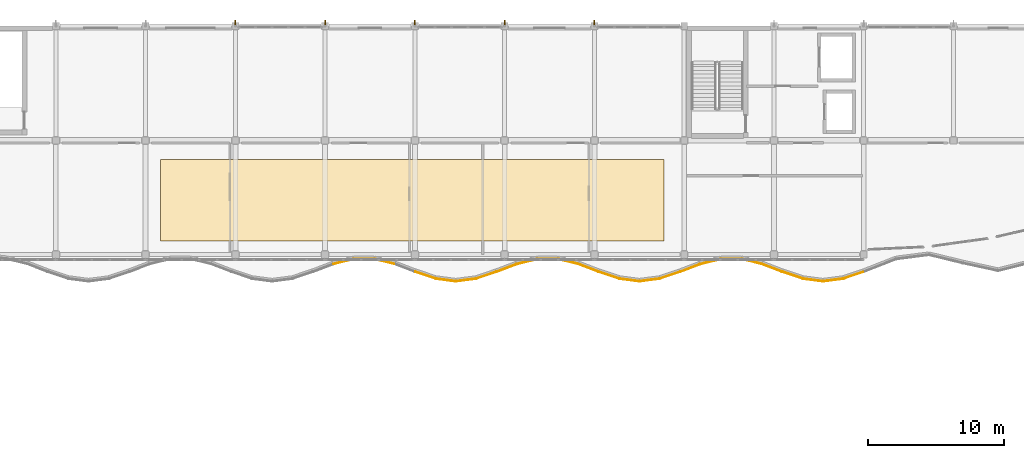
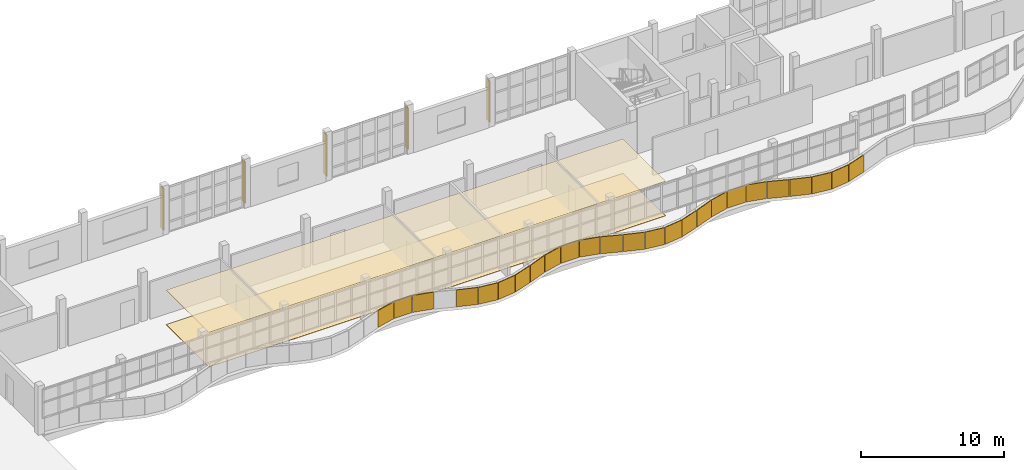
# One storey, part 73 of 78: 27 coverings, 5 shading devices.
"""IFC4 building model written with IfcOpenShell, lengths in metres."""

from ifc_helpers import new_model, si_unit, direction, frame, origin, origin_2d, place, context, subcontext, project, spatial, polyline, rectangle, outline, extrude, material, layer, layer_set, type_object, element, save


model = new_model("IFC4")

# Units and contexts
model_context = context("Model", 3, precision=1e-05, world=origin(), true_north=direction((0.0, 1.0)))
body_context = subcontext(model_context, "Body", "Model", "MODEL_VIEW")
ifc_project = project(units=[si_unit("LENGTHUNIT", "METRE"), si_unit("AREAUNIT", "SQUARE_METRE"), si_unit("VOLUMEUNIT", "CUBIC_METRE"), si_unit("PLANEANGLEUNIT", "RADIAN"), si_unit("MASSUNIT", "GRAM", prefix="KILO")], contexts=[model_context])

# Site, building, storey
site_placement = place(None, origin())
site = spatial("IfcSite", under=ifc_project, at=site_placement, CompositionType="ELEMENT")
building_placement = place(site_placement, origin())
building = spatial("IfcBuilding", under=site, at=building_placement, Name="Qaldarim Faculty of Natural and Applied Sciences", CompositionType="ELEMENT")
storey_placement = place(building_placement, frame((0.0, 0.0, 18.60009765625)))
storey = spatial("IfcBuildingStorey", under=building, at=storey_placement, Name="L04", CompositionType="ELEMENT", Elevation=18.60009765625)

# Coverings
ifc_material_1 = material(Name="Acoustic mineral fibre")
ifc_layer_1 = layer(ifc_material_1, 0.02001953125)
ifc_layer_set_1 = layer_set([ifc_layer_1], Name="Acoustic mineral fibre")
covering_type_1 = type_object("IfcCoveringType", Name="AcousticMineralCeiling-20", PredefinedType="CEILING", material=ifc_layer_set_1)
covering_1_placement = place(storey_placement, frame((0.0, 0.0, 2.949951171875)))
element("IfcCovering", 1, at=covering_1_placement, inside=storey, type_object=covering_type_1, Name="Acoustic mineral-fibre laboratory ceiling L04", PredefinedType="CEILING", context=body_context, shape_type="SweptSolid", body=[
    extrude(outline(polyline([(60.5, 101.800048828125), (97.5, 101.800048828125), (97.5, 107.800048828125), (60.5, 107.800048828125), (60.5, 101.800048828125)])), origin(), (0.0, 0.0, 1.0), 0.02001953125),
])
ifc_material_2 = material(Name="Chemical-resistant epoxy finish")
ifc_layer_2 = layer(ifc_material_2, 0.014892578125)
ifc_layer_set_2 = layer_set([ifc_layer_2], Name="Chemical-resistant epoxy finish")
covering_type_2 = type_object("IfcCoveringType", Name="LabEpoxyFlooring-15", PredefinedType="FLOORING", material=ifc_layer_set_2)
covering_2_placement = place(storey_placement, origin())
element("IfcCovering", 2, at=covering_2_placement, inside=storey, type_object=covering_type_2, Name="Chemical-resistant epoxy laboratory flooring L04", PredefinedType="FLOORING", context=body_context, shape_type="SweptSolid", body=[
    extrude(outline(polyline([(60.5, 101.800048828125), (97.5, 101.800048828125), (97.5, 107.800048828125), (60.5, 107.800048828125), (60.5, 101.800048828125)])), origin(), (0.0, 0.0, 1.0), 0.014892578125),
])
ifc_material_3 = material(Name="White architectural precast concrete C40/50", Category="concrete")
ifc_layer_3 = layer(ifc_material_3, 0.06005859375)
ifc_layer_set_3 = layer_set([ifc_layer_3], Name="White architectural precast concrete C40/50")
covering_type_3 = type_object("IfcCoveringType", Name="LimestoneSpandrelCladding-60", PredefinedType="CLADDING", material=ifc_layer_set_3)
covering_3_placement = place(storey_placement, frame((73.93994140625, 100.284912109375, 0.0), z_axis=(0.0, 0.0, 1.0), x_axis=(0.970143530747, 0.242531502591, 0.0)))
element("IfcCovering", 3, at=covering_3_placement, inside=storey, type_object=covering_type_3, Name="White limestone wave band fascia L04 chord 19", PredefinedType="CLADDING", context=body_context, shape_type="SweptSolid", body=[
    extrude(rectangle(XDim=1.5048828125, YDim=0.06005859375, at=origin_2d()), origin(), (0.0, 0.0, 1.0), 1.449951171875),
])
covering_4_placement = place(storey_placement, frame((75.449951171875, 100.47998046875, 0.0), z_axis=(0.0, 0.0, 1.0), x_axis=(0.999994443631, 0.003333572697, 0.0)))
element("IfcCovering", 4, at=covering_4_placement, inside=storey, type_object=covering_type_3, Name="White limestone wave band fascia L04 chord 20", PredefinedType="CLADDING", context=body_context, shape_type="SweptSolid", body=[
    extrude(rectangle(XDim=1.4599609375, YDim=0.06005859375, at=origin_2d()), origin(), (0.0, 0.0, 1.0), 1.449951171875),
])
covering_5_placement = place(storey_placement, frame((76.9599609375, 100.294921875, 0.0), z_axis=(0.0, 0.0, 1.0), x_axis=(0.970900677218, -0.239482514971, 0.0)))
element("IfcCovering", 5, at=covering_5_placement, inside=storey, type_object=covering_type_3, Name="White limestone wave band fascia L04 chord 21", PredefinedType="CLADDING", context=body_context, shape_type="SweptSolid", body=[
    extrude(rectangle(XDim=1.5048828125, YDim=0.06005859375, at=origin_2d()), origin(), (0.0, 0.0, 1.0), 1.449951171875),
])
covering_6_placement = place(storey_placement, frame((79.9599609375, 99.284912109375, 0.0), z_axis=(0.0, 0.0, 1.0), x_axis=(0.947729434705, -0.319075098672, 0.0)))
element("IfcCovering", 6, at=covering_6_placement, inside=storey, type_object=covering_type_3, Name="White limestone wave band fascia L04 chord 23", PredefinedType="CLADDING", context=body_context, shape_type="SweptSolid", body=[
    extrude(rectangle(XDim=1.544921875, YDim=0.06005859375, at=origin_2d()), origin(), (0.0, 0.0, 1.0), 1.449951171875),
])
for number, where, z_axis, x_axis, name in (
    (7, (81.455078125, 98.929931640625, 0.0), (0.0, 0.0, 1.0), (0.991227078025, -0.13216988988, 0.0), "White limestone wave band fascia L04 chord 24"),
    (8, (82.945068359375, 98.929931640625, 0.0), (0.0, 0.0, 1.0), (0.991655419632, 0.128916751104, 0.0), "White limestone wave band fascia L04 chord 25"),
):
    element("IfcCovering", number, at=place(storey_placement, frame(where, z_axis=z_axis, x_axis=x_axis)), inside=storey, type_object=covering_type_3, Name=name, PredefinedType="CLADDING", context=body_context, shape_type="SweptSolid", body=[
        extrude(rectangle(XDim=1.47509765625, YDim=0.06005859375, at=origin_2d()), origin(), (0.0, 0.0, 1.0), 1.449951171875),
    ])
covering_7_placement = place(storey_placement, frame((84.43994140625, 99.280029296875, 0.0), z_axis=(0.0, 0.0, 1.0), x_axis=(0.947729434705, 0.319075098672, 0.0)))
element("IfcCovering", 9, at=covering_7_placement, inside=storey, type_object=covering_type_3, Name="White limestone wave band fascia L04 chord 26", PredefinedType="CLADDING", context=body_context, shape_type="SweptSolid", body=[
    extrude(rectangle(XDim=1.544921875, YDim=0.06005859375, at=origin_2d()), origin(), (0.0, 0.0, 1.0), 1.449951171875),
])
covering_8_placement = place(storey_placement, frame((85.93994140625, 99.81005859375, 0.0), z_axis=(0.0, 0.0, 1.0), x_axis=(0.93478228492, 0.35522117026, 0.0)))
element("IfcCovering", 10, at=covering_8_placement, inside=storey, type_object=covering_type_3, Name="White limestone wave band fascia L04 chord 27", PredefinedType="CLADDING", context=body_context, shape_type="SweptSolid", body=[
    extrude(rectangle(XDim=1.56494140625, YDim=0.06005859375, at=origin_2d()), origin(), (0.0, 0.0, 1.0), 1.449951171875),
])
covering_9_placement = place(storey_placement, frame((87.43994140625, 100.284912109375, 0.0), z_axis=(0.0, 0.0, 1.0), x_axis=(0.970143530747, 0.242531502591, 0.0)))
element("IfcCovering", 11, at=covering_9_placement, inside=storey, type_object=covering_type_3, Name="White limestone wave band fascia L04 chord 28", PredefinedType="CLADDING", context=body_context, shape_type="SweptSolid", body=[
    extrude(rectangle(XDim=1.5048828125, YDim=0.06005859375, at=origin_2d()), origin(), (0.0, 0.0, 1.0), 1.449951171875),
])
covering_10_placement = place(storey_placement, frame((88.949951171875, 100.47998046875, 0.0), z_axis=(0.0, 0.0, 1.0), x_axis=(0.999994443631, 0.003333572697, 0.0)))
element("IfcCovering", 12, at=covering_10_placement, inside=storey, type_object=covering_type_3, Name="White limestone wave band fascia L04 chord 29", PredefinedType="CLADDING", context=body_context, shape_type="SweptSolid", body=[
    extrude(rectangle(XDim=1.4599609375, YDim=0.06005859375, at=origin_2d()), origin(), (0.0, 0.0, 1.0), 1.449951171875),
])
covering_11_placement = place(storey_placement, frame((90.4599609375, 100.294921875, 0.0), z_axis=(0.0, 0.0, 1.0), x_axis=(0.970900677218, -0.239482514971, 0.0)))
element("IfcCovering", 13, at=covering_11_placement, inside=storey, type_object=covering_type_3, Name="White limestone wave band fascia L04 chord 30", PredefinedType="CLADDING", context=body_context, shape_type="SweptSolid", body=[
    extrude(rectangle(XDim=1.5048828125, YDim=0.06005859375, at=origin_2d()), origin(), (0.0, 0.0, 1.0), 1.449951171875),
])
covering_12_placement = place(storey_placement, frame((91.9599609375, 99.820068359375, 0.0), z_axis=(0.0, 0.0, 1.0), x_axis=(0.93374919975, -0.357927970359, 0.0)))
element("IfcCovering", 14, at=covering_12_placement, inside=storey, type_object=covering_type_3, Name="White limestone wave band fascia L04 chord 31", PredefinedType="CLADDING", context=body_context, shape_type="SweptSolid", body=[
    extrude(rectangle(XDim=1.56494140625, YDim=0.06005859375, at=origin_2d()), origin(), (0.0, 0.0, 1.0), 1.449951171875),
])
covering_13_placement = place(storey_placement, frame((93.4599609375, 99.284912109375, 0.0), z_axis=(0.0, 0.0, 1.0), x_axis=(0.947729434705, -0.319075098672, 0.0)))
element("IfcCovering", 15, at=covering_13_placement, inside=storey, type_object=covering_type_3, Name="White limestone wave band fascia L04 chord 32", PredefinedType="CLADDING", context=body_context, shape_type="SweptSolid", body=[
    extrude(rectangle(XDim=1.544921875, YDim=0.06005859375, at=origin_2d()), origin(), (0.0, 0.0, 1.0), 1.449951171875),
])
for number, where, z_axis, x_axis, name in (
    (16, (94.955078125, 98.929931640625, 0.0), (0.0, 0.0, 1.0), (0.991227078025, -0.13216988988, 0.0), "White limestone wave band fascia L04 chord 33"),
    (17, (96.445068359375, 98.929931640625, 0.0), (0.0, 0.0, 1.0), (0.991655419632, 0.128916751104, 0.0), "White limestone wave band fascia L04 chord 34"),
):
    element("IfcCovering", number, at=place(storey_placement, frame(where, z_axis=z_axis, x_axis=x_axis)), inside=storey, type_object=covering_type_3, Name=name, PredefinedType="CLADDING", context=body_context, shape_type="SweptSolid", body=[
        extrude(rectangle(XDim=1.47509765625, YDim=0.06005859375, at=origin_2d()), origin(), (0.0, 0.0, 1.0), 1.449951171875),
    ])
covering_14_placement = place(storey_placement, frame((97.93994140625, 99.280029296875, 0.0), z_axis=(0.0, 0.0, 1.0), x_axis=(0.947729434705, 0.319075098672, 0.0)))
element("IfcCovering", 18, at=covering_14_placement, inside=storey, type_object=covering_type_3, Name="White limestone wave band fascia L04 chord 35", PredefinedType="CLADDING", context=body_context, shape_type="SweptSolid", body=[
    extrude(rectangle(XDim=1.544921875, YDim=0.06005859375, at=origin_2d()), origin(), (0.0, 0.0, 1.0), 1.449951171875),
])
covering_15_placement = place(storey_placement, frame((99.43994140625, 99.81005859375, 0.0), z_axis=(0.0, 0.0, 1.0), x_axis=(0.93478228492, 0.35522117026, 0.0)))
element("IfcCovering", 19, at=covering_15_placement, inside=storey, type_object=covering_type_3, Name="White limestone wave band fascia L04 chord 36", PredefinedType="CLADDING", context=body_context, shape_type="SweptSolid", body=[
    extrude(rectangle(XDim=1.56494140625, YDim=0.06005859375, at=origin_2d()), origin(), (0.0, 0.0, 1.0), 1.449951171875),
])
covering_16_placement = place(storey_placement, frame((100.93994140625, 100.284912109375, 0.0), z_axis=(0.0, 0.0, 1.0), x_axis=(0.970143530747, 0.242531502591, 0.0)))
element("IfcCovering", 20, at=covering_16_placement, inside=storey, type_object=covering_type_3, Name="White limestone wave band fascia L04 chord 37", PredefinedType="CLADDING", context=body_context, shape_type="SweptSolid", body=[
    extrude(rectangle(XDim=1.5048828125, YDim=0.06005859375, at=origin_2d()), origin(), (0.0, 0.0, 1.0), 1.449951171875),
])
covering_17_placement = place(storey_placement, frame((102.449951171875, 100.47998046875, 0.0), z_axis=(0.0, 0.0, 1.0), x_axis=(0.999994443631, 0.003333572697, 0.0)))
element("IfcCovering", 21, at=covering_17_placement, inside=storey, type_object=covering_type_3, Name="White limestone wave band fascia L04 chord 38", PredefinedType="CLADDING", context=body_context, shape_type="SweptSolid", body=[
    extrude(rectangle(XDim=1.4599609375, YDim=0.06005859375, at=origin_2d()), origin(), (0.0, 0.0, 1.0), 1.449951171875),
])
covering_18_placement = place(storey_placement, frame((103.9599609375, 100.294921875, 0.0), z_axis=(0.0, 0.0, 1.0), x_axis=(0.970900677218, -0.239482514971, 0.0)))
element("IfcCovering", 22, at=covering_18_placement, inside=storey, type_object=covering_type_3, Name="White limestone wave band fascia L04 chord 39", PredefinedType="CLADDING", context=body_context, shape_type="SweptSolid", body=[
    extrude(rectangle(XDim=1.5048828125, YDim=0.06005859375, at=origin_2d()), origin(), (0.0, 0.0, 1.0), 1.449951171875),
])
covering_19_placement = place(storey_placement, frame((105.4599609375, 99.820068359375, 0.0), z_axis=(0.0, 0.0, 1.0), x_axis=(0.93374919975, -0.357927970359, 0.0)))
element("IfcCovering", 23, at=covering_19_placement, inside=storey, type_object=covering_type_3, Name="White limestone wave band fascia L04 chord 40", PredefinedType="CLADDING", context=body_context, shape_type="SweptSolid", body=[
    extrude(rectangle(XDim=1.56494140625, YDim=0.06005859375, at=origin_2d()), origin(), (0.0, 0.0, 1.0), 1.449951171875),
])
covering_20_placement = place(storey_placement, frame((106.9599609375, 99.284912109375, 0.0), z_axis=(0.0, 0.0, 1.0), x_axis=(0.947729434705, -0.319075098672, 0.0)))
element("IfcCovering", 24, at=covering_20_placement, inside=storey, type_object=covering_type_3, Name="White limestone wave band fascia L04 chord 41", PredefinedType="CLADDING", context=body_context, shape_type="SweptSolid", body=[
    extrude(rectangle(XDim=1.544921875, YDim=0.06005859375, at=origin_2d()), origin(), (0.0, 0.0, 1.0), 1.449951171875),
])
for number, where, z_axis, x_axis, name in (
    (25, (108.455078125, 98.929931640625, 0.0), (0.0, 0.0, 1.0), (0.991227078025, -0.13216988988, 0.0), "White limestone wave band fascia L04 chord 42"),
    (26, (109.945068359375, 98.929931640625, 0.0), (0.0, 0.0, 1.0), (0.991655419632, 0.128916751104, 0.0), "White limestone wave band fascia L04 chord 43"),
):
    element("IfcCovering", number, at=place(storey_placement, frame(where, z_axis=z_axis, x_axis=x_axis)), inside=storey, type_object=covering_type_3, Name=name, PredefinedType="CLADDING", context=body_context, shape_type="SweptSolid", body=[
        extrude(rectangle(XDim=1.47509765625, YDim=0.06005859375, at=origin_2d()), origin(), (0.0, 0.0, 1.0), 1.449951171875),
    ])
covering_21_placement = place(storey_placement, frame((111.43994140625, 99.280029296875, 0.0), z_axis=(0.0, 0.0, 1.0), x_axis=(0.947729434705, 0.319075098672, 0.0)))
element("IfcCovering", 27, at=covering_21_placement, inside=storey, type_object=covering_type_3, Name="White limestone wave band fascia L04 chord 44", PredefinedType="CLADDING", context=body_context, shape_type="SweptSolid", body=[
    extrude(rectangle(XDim=1.544921875, YDim=0.06005859375, at=origin_2d()), origin(), (0.0, 0.0, 1.0), 1.449951171875),
])

# Shading devices
ifc_material_4 = material(Name="Champagne anodised aluminium AW-6063", Category="aluminium")
ifc_layer_4 = layer(ifc_material_4, 0.06005859375)
ifc_layer_set_4 = layer_set([ifc_layer_4], Name="Champagne anodised aluminium AW-6063")
shading_device_type = type_object("IfcShadingDeviceType", Name="VerticalSunFin-ALU450x60", PredefinedType="SHUTTER", material=ifc_layer_set_4)
for number, where, z_axis, x_axis, name in (
    (28, (66.0, 117.824951171875, 0.199951171875), (0.0, 0.0, 1.0), (1.0, 0.0, 0.0), "North pier fin FIN-V4N-L04-X11"),
    (29, (72.60009765625, 117.824951171875, 0.199951171875), (0.0, 0.0, 1.0), (1.0, 0.0, 0.0), "North pier fin FIN-V4N-L04-X12"),
    (30, (79.199951171875, 117.824951171875, 0.199951171875), (0.0, 0.0, 1.0), (1.0, 0.0, 0.0), "North pier fin FIN-V4N-L04-X13"),
    (31, (85.800048828125, 117.824951171875, 0.199951171875), (0.0, 0.0, 1.0), (1.0, 0.0, 0.0), "North pier fin FIN-V4N-L04-X14"),
    (32, (92.39990234375, 117.824951171875, 0.199951171875), (0.0, 0.0, 1.0), (1.0, 0.0, 0.0), "North pier fin FIN-V4N-L04-X15"),
):
    element("IfcShadingDevice", number, at=place(storey_placement, frame(where, z_axis=z_axis, x_axis=x_axis)), inside=storey, type_object=shading_device_type, Name=name, PredefinedType="SHUTTER", context=body_context, shape_type="SweptSolid", body=[
        extrude(rectangle(XDim=0.06005859375, YDim=0.449951171875, at=origin_2d()), origin(), (0.0, 0.0, 1.0), 3.5400390625),
    ])

save(model, "model.ifc")
